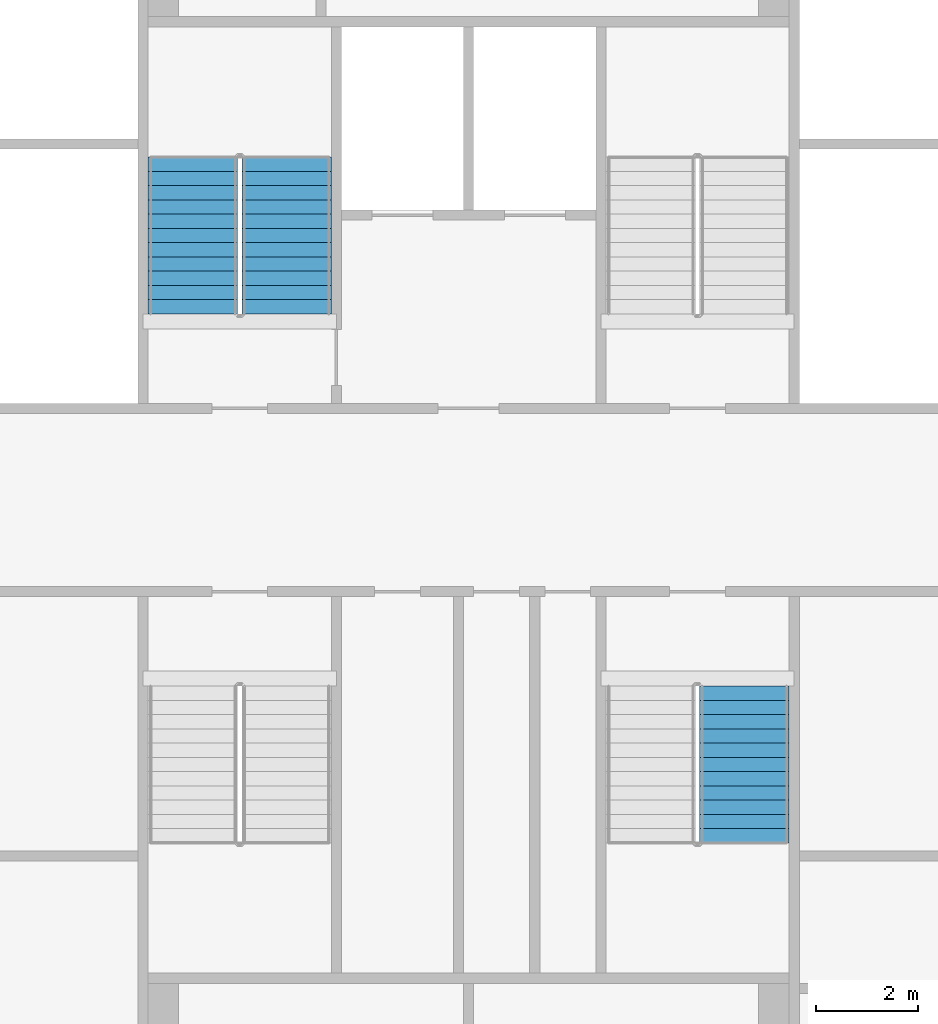
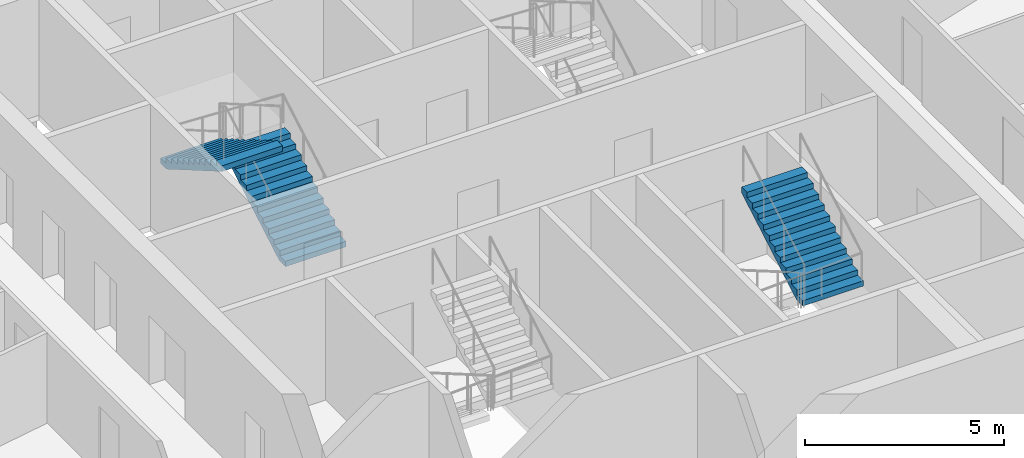
# One storey, part 9 of 15: 3 stair flights, 2 elements without a shape of their own.
"""IFC4 building model written with IfcOpenShell, lengths in metres."""

from ifc_helpers import new_model, si_unit, direction, frame, origin, place, context, subcontext, project, spatial, faceted_brep, material, type_object, element, aggregate, save


model = new_model("IFC4")

# Units and contexts
model_context = context("Model", 3, precision=1e-05, world=origin(), true_north=direction((0.0, 1.0)))
body_context = subcontext(model_context, "Body", "Model", "MODEL_VIEW")
ifc_project = project(units=[si_unit("LENGTHUNIT", "METRE"), si_unit("AREAUNIT", "SQUARE_METRE"), si_unit("VOLUMEUNIT", "CUBIC_METRE"), si_unit("PLANEANGLEUNIT", "RADIAN"), si_unit("MASSUNIT", "GRAM", prefix="KILO")], contexts=[model_context])

# Site, building, storey
site_placement = place(None, origin())
site = spatial("IfcSite", under=ifc_project, at=site_placement, CompositionType="ELEMENT")
building_placement = place(site_placement, origin())
building = spatial("IfcBuilding", under=site, at=building_placement, Name="Tarsis Ring Headquarters", CompositionType="ELEMENT")
storey_placement = place(building_placement, frame((0.0, 0.0, 327.5)))
storey = spatial("IfcBuildingStorey", under=building, at=storey_placement, Name="L77", CompositionType="ELEMENT", Elevation=327.5)

# Stair, stair flights
ifc_material_1 = material(Name="Core stair 1760")
stair_type = type_object("IfcStairType", Name="Core stair 1760", PredefinedType="HALF_TURN_STAIR", material=ifc_material_1)
stair_1_placement = place(storey_placement, origin())
stair_1 = element("IfcStair", 1, at=stair_1_placement, inside=storey, type_object=stair_type, Name="L77 Firefighting stair", PredefinedType="HALF_TURN_STAIR")
ifc_material_2 = material(Name="Concrete C40/50", Category="concrete")
stair_flight_type = type_object("IfcStairFlightType", Name="Core stair flight 1760", PredefinedType="STRAIGHT", material=ifc_material_2)
stair_flight_1_placement = place(storey_placement, frame((-3.580078125, 3.659912109375, 0.0), z_axis=(0.0, 0.0, 1.0), x_axis=(0.0, 1.0, 0.0)))
stair_flight_1 = element("IfcStairFlight", 2, at=stair_flight_1_placement, type_object=stair_flight_type, Name="Stair ST1 flight 1", NumberOfRisers=12, NumberOfTreads=11, PredefinedType="STRAIGHT", RiserHeight=0.1625, TreadLength=0.28, context=body_context, shape_type="Brep", body=[
    faceted_brep([(0.0, 0.8798828125, 0.0), (0.0, 0.8798828125, 0.16259765625), (0.280029296875, 0.8798828125, 0.16259765625), (0.280029296875, 0.8798828125, 0.324951171875), (0.56005859375, 0.8798828125, 0.324951171875), (0.56005859375, 0.8798828125, 0.487548828125), (0.840087890625, 0.8798828125, 0.487548828125), (0.840087890625, 0.8798828125, 0.64990234375), (1.1201171875, 0.8798828125, 0.64990234375), (1.1201171875, 0.8798828125, 0.8125), (1.39990234375, 0.8798828125, 0.8125), (1.39990234375, 0.8798828125, 0.97509765625), (1.679931640625, 0.8798828125, 0.97509765625), (1.679931640625, 0.8798828125, 1.137451171875), (1.9599609375, 0.8798828125, 1.137451171875), (1.9599609375, 0.8798828125, 1.300048828125), (2.239990234375, 0.8798828125, 1.300048828125), (2.239990234375, 0.8798828125, 1.46240234375), (2.52001953125, 0.8798828125, 1.46240234375), (2.52001953125, 0.8798828125, 1.625), (2.800048828125, 0.8798828125, 1.625), (2.800048828125, 0.8798828125, 1.78759765625), (3.080078125, 0.8798828125, 1.78759765625), (3.080078125, 0.8798828125, 1.6142578125), (0.298583984375, 0.8798828125, 0.0), (0.298583984375, -0.8798828125, 0.0), (3.080078125, -0.8798828125, 1.6142578125), (3.080078125, -0.8798828125, 1.78759765625), (2.800048828125, -0.8798828125, 1.78759765625), (2.800048828125, -0.8798828125, 1.625), (2.52001953125, -0.8798828125, 1.625), (2.52001953125, -0.8798828125, 1.46240234375), (2.239990234375, -0.8798828125, 1.46240234375), (2.239990234375, -0.8798828125, 1.300048828125), (1.9599609375, -0.8798828125, 1.300048828125), (1.9599609375, -0.8798828125, 1.137451171875), (1.679931640625, -0.8798828125, 1.137451171875), (1.679931640625, -0.8798828125, 0.97509765625), (1.39990234375, -0.8798828125, 0.97509765625), (1.39990234375, -0.8798828125, 0.8125), (1.1201171875, -0.8798828125, 0.8125), (1.1201171875, -0.8798828125, 0.64990234375), (0.840087890625, -0.8798828125, 0.64990234375), (0.840087890625, -0.8798828125, 0.487548828125), (0.56005859375, -0.8798828125, 0.487548828125), (0.56005859375, -0.8798828125, 0.324951171875), (0.280029296875, -0.8798828125, 0.324951171875), (0.280029296875, -0.8798828125, 0.16259765625), (0.0, -0.8798828125, 0.16259765625), (0.0, -0.8798828125, 0.0), (0.0, -0.43994140625, 0.16259765625), (0.0, -0.43994140625, 0.0), (0.0, 0.0, 0.16259765625), (0.0, 0.0, 0.0), (0.0, 0.43994140625, 0.16259765625), (0.0, 0.43994140625, 0.0), (0.280029296875, -0.43994140625, 0.16259765625), (0.280029296875, 0.0, 0.16259765625), (0.280029296875, 0.43994140625, 0.16259765625), (0.280029296875, -0.43994140625, 0.324951171875), (0.280029296875, 0.0, 0.324951171875), (0.280029296875, 0.43994140625, 0.324951171875), (0.56005859375, -0.43994140625, 0.324951171875), (0.56005859375, 0.0, 0.324951171875), (0.56005859375, 0.43994140625, 0.324951171875), (0.56005859375, -0.43994140625, 0.487548828125), (0.56005859375, 0.0, 0.487548828125), (0.56005859375, 0.43994140625, 0.487548828125), (0.840087890625, -0.43994140625, 0.487548828125), (0.840087890625, 0.0, 0.487548828125), (0.840087890625, 0.43994140625, 0.487548828125), (0.840087890625, -0.43994140625, 0.64990234375), (0.840087890625, 0.0, 0.64990234375), (0.840087890625, 0.43994140625, 0.64990234375), (1.1201171875, -0.43994140625, 0.64990234375), (1.1201171875, 0.0, 0.64990234375), (1.1201171875, 0.43994140625, 0.64990234375), (1.1201171875, -0.43994140625, 0.8125), (1.1201171875, 0.0, 0.8125), (1.1201171875, 0.43994140625, 0.8125), (1.39990234375, -0.43994140625, 0.8125), (1.39990234375, 0.0, 0.8125), (1.39990234375, 0.43994140625, 0.8125), (1.39990234375, -0.43994140625, 0.97509765625), (1.39990234375, 0.0, 0.97509765625), (1.39990234375, 0.43994140625, 0.97509765625), (1.679931640625, -0.43994140625, 0.97509765625), (1.679931640625, 0.0, 0.97509765625), (1.679931640625, 0.43994140625, 0.97509765625), (1.679931640625, -0.43994140625, 1.137451171875), (1.679931640625, 0.0, 1.137451171875), (1.679931640625, 0.43994140625, 1.137451171875), (1.9599609375, -0.43994140625, 1.137451171875), (1.9599609375, 0.0, 1.137451171875), (1.9599609375, 0.43994140625, 1.137451171875), (1.9599609375, -0.43994140625, 1.300048828125), (1.9599609375, 0.0, 1.300048828125), (1.9599609375, 0.43994140625, 1.300048828125), (2.239990234375, -0.43994140625, 1.300048828125), (2.239990234375, 0.0, 1.300048828125), (2.239990234375, 0.43994140625, 1.300048828125), (2.239990234375, -0.43994140625, 1.46240234375), (2.239990234375, 0.0, 1.46240234375), (2.239990234375, 0.43994140625, 1.46240234375), (2.52001953125, -0.43994140625, 1.46240234375), (2.52001953125, 0.0, 1.46240234375), (2.52001953125, 0.43994140625, 1.46240234375), (2.52001953125, -0.43994140625, 1.625), (2.52001953125, 0.0, 1.625), (2.52001953125, 0.43994140625, 1.625), (2.800048828125, -0.43994140625, 1.625), (2.800048828125, 0.0, 1.625), (2.800048828125, 0.43994140625, 1.625), (2.800048828125, -0.43994140625, 1.78759765625), (2.800048828125, 0.0, 1.78759765625), (2.800048828125, 0.43994140625, 1.78759765625), (3.080078125, -0.43994140625, 1.78759765625), (3.080078125, 0.0, 1.78759765625), (3.080078125, 0.43994140625, 1.78759765625), (3.080078125, -0.43994140625, 1.6142578125), (3.080078125, 0.0, 1.6142578125), (3.080078125, 0.43994140625, 1.6142578125), (0.298583984375, -0.43994140625, 0.0), (0.298583984375, 0.0, 0.0), (0.298583984375, 0.43994140625, 0.0)], [[[0, 1, 2, 3, 4, 5, 6, 7, 8, 9, 10, 11, 12, 13, 14, 15, 16, 17, 18, 19, 20, 21, 22, 23, 24]], [[25, 26, 27, 28, 29, 30, 31, 32, 33, 34, 35, 36, 37, 38, 39, 40, 41, 42, 43, 44, 45, 46, 47, 48, 49]], [[49, 48, 50, 51]], [[51, 50, 52, 53]], [[53, 52, 54, 55]], [[55, 54, 1, 0]], [[48, 47, 56, 50]], [[50, 56, 57, 52]], [[52, 57, 58, 54]], [[54, 58, 2, 1]], [[47, 46, 59, 56]], [[56, 59, 60, 57]], [[57, 60, 61, 58]], [[58, 61, 3, 2]], [[46, 45, 62, 59]], [[59, 62, 63, 60]], [[60, 63, 64, 61]], [[61, 64, 4, 3]], [[45, 44, 65, 62]], [[62, 65, 66, 63]], [[63, 66, 67, 64]], [[64, 67, 5, 4]], [[44, 43, 68, 65]], [[65, 68, 69, 66]], [[66, 69, 70, 67]], [[67, 70, 6, 5]], [[43, 42, 71, 68]], [[68, 71, 72, 69]], [[69, 72, 73, 70]], [[70, 73, 7, 6]], [[42, 41, 74, 71]], [[71, 74, 75, 72]], [[72, 75, 76, 73]], [[73, 76, 8, 7]], [[41, 40, 77, 74]], [[74, 77, 78, 75]], [[75, 78, 79, 76]], [[76, 79, 9, 8]], [[40, 39, 80, 77]], [[77, 80, 81, 78]], [[78, 81, 82, 79]], [[79, 82, 10, 9]], [[39, 38, 83, 80]], [[80, 83, 84, 81]], [[81, 84, 85, 82]], [[82, 85, 11, 10]], [[38, 37, 86, 83]], [[83, 86, 87, 84]], [[84, 87, 88, 85]], [[85, 88, 12, 11]], [[37, 36, 89, 86]], [[86, 89, 90, 87]], [[87, 90, 91, 88]], [[88, 91, 13, 12]], [[36, 35, 92, 89]], [[89, 92, 93, 90]], [[90, 93, 94, 91]], [[91, 94, 14, 13]], [[35, 34, 95, 92]], [[92, 95, 96, 93]], [[93, 96, 97, 94]], [[94, 97, 15, 14]], [[34, 33, 98, 95]], [[95, 98, 99, 96]], [[96, 99, 100, 97]], [[97, 100, 16, 15]], [[33, 32, 101, 98]], [[98, 101, 102, 99]], [[99, 102, 103, 100]], [[100, 103, 17, 16]], [[32, 31, 104, 101]], [[101, 104, 105, 102]], [[102, 105, 106, 103]], [[103, 106, 18, 17]], [[31, 30, 107, 104]], [[104, 107, 108, 105]], [[105, 108, 109, 106]], [[106, 109, 19, 18]], [[30, 29, 110, 107]], [[107, 110, 111, 108]], [[108, 111, 112, 109]], [[109, 112, 20, 19]], [[29, 28, 113, 110]], [[110, 113, 114, 111]], [[111, 114, 115, 112]], [[112, 115, 21, 20]], [[28, 27, 116, 113]], [[113, 116, 117, 114]], [[114, 117, 118, 115]], [[115, 118, 22, 21]], [[27, 26, 119, 116]], [[116, 119, 120, 117]], [[117, 120, 121, 118]], [[118, 121, 23, 22]], [[26, 25, 122, 119]], [[119, 122, 123, 120]], [[120, 123, 124, 121]], [[121, 124, 24, 23]], [[25, 49, 51, 122]], [[122, 51, 53, 123]], [[123, 53, 55, 124]], [[124, 55, 0, 24]]]),
])
stair_flight_2_placement = place(storey_placement, frame((-5.419921875, 6.739990234375, 1.949951171875), z_axis=(0.0, 0.0, 1.0), x_axis=(0.0, -1.0, 0.0)))
stair_flight_2 = element("IfcStairFlight", 3, at=stair_flight_2_placement, type_object=stair_flight_type, Name="Stair ST1 flight 2", NumberOfRisers=12, NumberOfTreads=11, PredefinedType="STRAIGHT", RiserHeight=0.1625, TreadLength=0.28, context=body_context, shape_type="Brep", body=[
    faceted_brep([(0.0, 0.8798828125, 0.0), (0.0, 0.8798828125, 0.16259765625), (0.280029296875, 0.8798828125, 0.16259765625), (0.280029296875, 0.8798828125, 0.324951171875), (0.56005859375, 0.8798828125, 0.324951171875), (0.56005859375, 0.8798828125, 0.487548828125), (0.840087890625, 0.8798828125, 0.487548828125), (0.840087890625, 0.8798828125, 0.64990234375), (1.1201171875, 0.8798828125, 0.64990234375), (1.1201171875, 0.8798828125, 0.8125), (1.39990234375, 0.8798828125, 0.8125), (1.39990234375, 0.8798828125, 0.97509765625), (1.679931640625, 0.8798828125, 0.97509765625), (1.679931640625, 0.8798828125, 1.137451171875), (1.9599609375, 0.8798828125, 1.137451171875), (1.9599609375, 0.8798828125, 1.300048828125), (2.239990234375, 0.8798828125, 1.300048828125), (2.239990234375, 0.8798828125, 1.46240234375), (2.52001953125, 0.8798828125, 1.46240234375), (2.52001953125, 0.8798828125, 1.625), (2.800048828125, 0.8798828125, 1.625), (2.800048828125, 0.8798828125, 1.78759765625), (3.080078125, 0.8798828125, 1.78759765625), (3.080078125, 0.8798828125, 1.6142578125), (0.298583984375, 0.8798828125, 0.0), (0.298583984375, -0.8798828125, 0.0), (3.080078125, -0.8798828125, 1.6142578125), (3.080078125, -0.8798828125, 1.78759765625), (2.800048828125, -0.8798828125, 1.78759765625), (2.800048828125, -0.8798828125, 1.625), (2.52001953125, -0.8798828125, 1.625), (2.52001953125, -0.8798828125, 1.46240234375), (2.239990234375, -0.8798828125, 1.46240234375), (2.239990234375, -0.8798828125, 1.300048828125), (1.9599609375, -0.8798828125, 1.300048828125), (1.9599609375, -0.8798828125, 1.137451171875), (1.679931640625, -0.8798828125, 1.137451171875), (1.679931640625, -0.8798828125, 0.97509765625), (1.39990234375, -0.8798828125, 0.97509765625), (1.39990234375, -0.8798828125, 0.8125), (1.1201171875, -0.8798828125, 0.8125), (1.1201171875, -0.8798828125, 0.64990234375), (0.840087890625, -0.8798828125, 0.64990234375), (0.840087890625, -0.8798828125, 0.487548828125), (0.56005859375, -0.8798828125, 0.487548828125), (0.56005859375, -0.8798828125, 0.324951171875), (0.280029296875, -0.8798828125, 0.324951171875), (0.280029296875, -0.8798828125, 0.16259765625), (0.0, -0.8798828125, 0.16259765625), (0.0, -0.8798828125, 0.0), (0.0, -0.43994140625, 0.16259765625), (0.0, -0.43994140625, 0.0), (0.0, 0.0, 0.16259765625), (0.0, 0.0, 0.0), (0.0, 0.43994140625, 0.16259765625), (0.0, 0.43994140625, 0.0), (0.280029296875, -0.43994140625, 0.16259765625), (0.280029296875, 0.0, 0.16259765625), (0.280029296875, 0.43994140625, 0.16259765625), (0.280029296875, -0.43994140625, 0.324951171875), (0.280029296875, 0.0, 0.324951171875), (0.280029296875, 0.43994140625, 0.324951171875), (0.56005859375, -0.43994140625, 0.324951171875), (0.56005859375, 0.0, 0.324951171875), (0.56005859375, 0.43994140625, 0.324951171875), (0.56005859375, -0.43994140625, 0.487548828125), (0.56005859375, 0.0, 0.487548828125), (0.56005859375, 0.43994140625, 0.487548828125), (0.840087890625, -0.43994140625, 0.487548828125), (0.840087890625, 0.0, 0.487548828125), (0.840087890625, 0.43994140625, 0.487548828125), (0.840087890625, -0.43994140625, 0.64990234375), (0.840087890625, 0.0, 0.64990234375), (0.840087890625, 0.43994140625, 0.64990234375), (1.1201171875, -0.43994140625, 0.64990234375), (1.1201171875, 0.0, 0.64990234375), (1.1201171875, 0.43994140625, 0.64990234375), (1.1201171875, -0.43994140625, 0.8125), (1.1201171875, 0.0, 0.8125), (1.1201171875, 0.43994140625, 0.8125), (1.39990234375, -0.43994140625, 0.8125), (1.39990234375, 0.0, 0.8125), (1.39990234375, 0.43994140625, 0.8125), (1.39990234375, -0.43994140625, 0.97509765625), (1.39990234375, 0.0, 0.97509765625), (1.39990234375, 0.43994140625, 0.97509765625), (1.679931640625, -0.43994140625, 0.97509765625), (1.679931640625, 0.0, 0.97509765625), (1.679931640625, 0.43994140625, 0.97509765625), (1.679931640625, -0.43994140625, 1.137451171875), (1.679931640625, 0.0, 1.137451171875), (1.679931640625, 0.43994140625, 1.137451171875), (1.9599609375, -0.43994140625, 1.137451171875), (1.9599609375, 0.0, 1.137451171875), (1.9599609375, 0.43994140625, 1.137451171875), (1.9599609375, -0.43994140625, 1.300048828125), (1.9599609375, 0.0, 1.300048828125), (1.9599609375, 0.43994140625, 1.300048828125), (2.239990234375, -0.43994140625, 1.300048828125), (2.239990234375, 0.0, 1.300048828125), (2.239990234375, 0.43994140625, 1.300048828125), (2.239990234375, -0.43994140625, 1.46240234375), (2.239990234375, 0.0, 1.46240234375), (2.239990234375, 0.43994140625, 1.46240234375), (2.52001953125, -0.43994140625, 1.46240234375), (2.52001953125, 0.0, 1.46240234375), (2.52001953125, 0.43994140625, 1.46240234375), (2.52001953125, -0.43994140625, 1.625), (2.52001953125, 0.0, 1.625), (2.52001953125, 0.43994140625, 1.625), (2.800048828125, -0.43994140625, 1.625), (2.800048828125, 0.0, 1.625), (2.800048828125, 0.43994140625, 1.625), (2.800048828125, -0.43994140625, 1.78759765625), (2.800048828125, 0.0, 1.78759765625), (2.800048828125, 0.43994140625, 1.78759765625), (3.080078125, -0.43994140625, 1.78759765625), (3.080078125, 0.0, 1.78759765625), (3.080078125, 0.43994140625, 1.78759765625), (3.080078125, -0.43994140625, 1.6142578125), (3.080078125, 0.0, 1.6142578125), (3.080078125, 0.43994140625, 1.6142578125), (0.298583984375, -0.43994140625, 0.0), (0.298583984375, 0.0, 0.0), (0.298583984375, 0.43994140625, 0.0)], [[[0, 1, 2, 3, 4, 5, 6, 7, 8, 9, 10, 11, 12, 13, 14, 15, 16, 17, 18, 19, 20, 21, 22, 23, 24]], [[25, 26, 27, 28, 29, 30, 31, 32, 33, 34, 35, 36, 37, 38, 39, 40, 41, 42, 43, 44, 45, 46, 47, 48, 49]], [[49, 48, 50, 51]], [[51, 50, 52, 53]], [[53, 52, 54, 55]], [[55, 54, 1, 0]], [[48, 47, 56, 50]], [[50, 56, 57, 52]], [[52, 57, 58, 54]], [[54, 58, 2, 1]], [[47, 46, 59, 56]], [[56, 59, 60, 57]], [[57, 60, 61, 58]], [[58, 61, 3, 2]], [[46, 45, 62, 59]], [[59, 62, 63, 60]], [[60, 63, 64, 61]], [[61, 64, 4, 3]], [[45, 44, 65, 62]], [[62, 65, 66, 63]], [[63, 66, 67, 64]], [[64, 67, 5, 4]], [[44, 43, 68, 65]], [[65, 68, 69, 66]], [[66, 69, 70, 67]], [[67, 70, 6, 5]], [[43, 42, 71, 68]], [[68, 71, 72, 69]], [[69, 72, 73, 70]], [[70, 73, 7, 6]], [[42, 41, 74, 71]], [[71, 74, 75, 72]], [[72, 75, 76, 73]], [[73, 76, 8, 7]], [[41, 40, 77, 74]], [[74, 77, 78, 75]], [[75, 78, 79, 76]], [[76, 79, 9, 8]], [[40, 39, 80, 77]], [[77, 80, 81, 78]], [[78, 81, 82, 79]], [[79, 82, 10, 9]], [[39, 38, 83, 80]], [[80, 83, 84, 81]], [[81, 84, 85, 82]], [[82, 85, 11, 10]], [[38, 37, 86, 83]], [[83, 86, 87, 84]], [[84, 87, 88, 85]], [[85, 88, 12, 11]], [[37, 36, 89, 86]], [[86, 89, 90, 87]], [[87, 90, 91, 88]], [[88, 91, 13, 12]], [[36, 35, 92, 89]], [[89, 92, 93, 90]], [[90, 93, 94, 91]], [[91, 94, 14, 13]], [[35, 34, 95, 92]], [[92, 95, 96, 93]], [[93, 96, 97, 94]], [[94, 97, 15, 14]], [[34, 33, 98, 95]], [[95, 98, 99, 96]], [[96, 99, 100, 97]], [[97, 100, 16, 15]], [[33, 32, 101, 98]], [[98, 101, 102, 99]], [[99, 102, 103, 100]], [[100, 103, 17, 16]], [[32, 31, 104, 101]], [[101, 104, 105, 102]], [[102, 105, 106, 103]], [[103, 106, 18, 17]], [[31, 30, 107, 104]], [[104, 107, 108, 105]], [[105, 108, 109, 106]], [[106, 109, 19, 18]], [[30, 29, 110, 107]], [[107, 110, 111, 108]], [[108, 111, 112, 109]], [[109, 112, 20, 19]], [[29, 28, 113, 110]], [[110, 113, 114, 111]], [[111, 114, 115, 112]], [[112, 115, 21, 20]], [[28, 27, 116, 113]], [[113, 116, 117, 114]], [[114, 117, 118, 115]], [[115, 118, 22, 21]], [[27, 26, 119, 116]], [[116, 119, 120, 117]], [[117, 120, 121, 118]], [[118, 121, 23, 22]], [[26, 25, 122, 119]], [[119, 122, 123, 120]], [[120, 123, 124, 121]], [[121, 124, 24, 23]], [[25, 49, 51, 122]], [[122, 51, 53, 123]], [[123, 53, 55, 124]], [[124, 55, 0, 24]]]),
])
aggregate(stair_1, [stair_flight_1, stair_flight_2])

# Stair, stair flight
stair_2_placement = place(storey_placement, origin())
stair_2 = element("IfcStair", 4, at=stair_2_placement, inside=storey, type_object=stair_type, Name="L77 Exit stair D", PredefinedType="HALF_TURN_STAIR")
stair_flight_3_placement = place(storey_placement, frame((5.419921875, -6.739990234375, 1.949951171875), z_axis=(0.0, 0.0, 1.0), x_axis=(0.0, 1.0, 0.0)))
stair_flight_3 = element("IfcStairFlight", 5, at=stair_flight_3_placement, type_object=stair_flight_type, Name="Stair ST4 flight 2", NumberOfRisers=12, NumberOfTreads=11, PredefinedType="STRAIGHT", RiserHeight=0.1625, TreadLength=0.28, context=body_context, shape_type="Brep", body=[
    faceted_brep([(0.0, 0.8798828125, 0.0), (0.0, 0.8798828125, 0.16259765625), (0.280029296875, 0.8798828125, 0.16259765625), (0.280029296875, 0.8798828125, 0.324951171875), (0.56005859375, 0.8798828125, 0.324951171875), (0.56005859375, 0.8798828125, 0.487548828125), (0.840087890625, 0.8798828125, 0.487548828125), (0.840087890625, 0.8798828125, 0.64990234375), (1.1201171875, 0.8798828125, 0.64990234375), (1.1201171875, 0.8798828125, 0.8125), (1.39990234375, 0.8798828125, 0.8125), (1.39990234375, 0.8798828125, 0.97509765625), (1.679931640625, 0.8798828125, 0.97509765625), (1.679931640625, 0.8798828125, 1.137451171875), (1.9599609375, 0.8798828125, 1.137451171875), (1.9599609375, 0.8798828125, 1.300048828125), (2.239990234375, 0.8798828125, 1.300048828125), (2.239990234375, 0.8798828125, 1.46240234375), (2.52001953125, 0.8798828125, 1.46240234375), (2.52001953125, 0.8798828125, 1.625), (2.800048828125, 0.8798828125, 1.625), (2.800048828125, 0.8798828125, 1.78759765625), (3.080078125, 0.8798828125, 1.78759765625), (3.080078125, 0.8798828125, 1.6142578125), (0.298583984375, 0.8798828125, 0.0), (0.298583984375, -0.8798828125, 0.0), (3.080078125, -0.8798828125, 1.6142578125), (3.080078125, -0.8798828125, 1.78759765625), (2.800048828125, -0.8798828125, 1.78759765625), (2.800048828125, -0.8798828125, 1.625), (2.52001953125, -0.8798828125, 1.625), (2.52001953125, -0.8798828125, 1.46240234375), (2.239990234375, -0.8798828125, 1.46240234375), (2.239990234375, -0.8798828125, 1.300048828125), (1.9599609375, -0.8798828125, 1.300048828125), (1.9599609375, -0.8798828125, 1.137451171875), (1.679931640625, -0.8798828125, 1.137451171875), (1.679931640625, -0.8798828125, 0.97509765625), (1.39990234375, -0.8798828125, 0.97509765625), (1.39990234375, -0.8798828125, 0.8125), (1.1201171875, -0.8798828125, 0.8125), (1.1201171875, -0.8798828125, 0.64990234375), (0.840087890625, -0.8798828125, 0.64990234375), (0.840087890625, -0.8798828125, 0.487548828125), (0.56005859375, -0.8798828125, 0.487548828125), (0.56005859375, -0.8798828125, 0.324951171875), (0.280029296875, -0.8798828125, 0.324951171875), (0.280029296875, -0.8798828125, 0.16259765625), (0.0, -0.8798828125, 0.16259765625), (0.0, -0.8798828125, 0.0), (0.0, -0.43994140625, 0.16259765625), (0.0, -0.43994140625, 0.0), (0.0, 0.0, 0.16259765625), (0.0, 0.0, 0.0), (0.0, 0.43994140625, 0.16259765625), (0.0, 0.43994140625, 0.0), (0.280029296875, -0.43994140625, 0.16259765625), (0.280029296875, 0.0, 0.16259765625), (0.280029296875, 0.43994140625, 0.16259765625), (0.280029296875, -0.43994140625, 0.324951171875), (0.280029296875, 0.0, 0.324951171875), (0.280029296875, 0.43994140625, 0.324951171875), (0.56005859375, -0.43994140625, 0.324951171875), (0.56005859375, 0.0, 0.324951171875), (0.56005859375, 0.43994140625, 0.324951171875), (0.56005859375, -0.43994140625, 0.487548828125), (0.56005859375, 0.0, 0.487548828125), (0.56005859375, 0.43994140625, 0.487548828125), (0.840087890625, -0.43994140625, 0.487548828125), (0.840087890625, 0.0, 0.487548828125), (0.840087890625, 0.43994140625, 0.487548828125), (0.840087890625, -0.43994140625, 0.64990234375), (0.840087890625, 0.0, 0.64990234375), (0.840087890625, 0.43994140625, 0.64990234375), (1.1201171875, -0.43994140625, 0.64990234375), (1.1201171875, 0.0, 0.64990234375), (1.1201171875, 0.43994140625, 0.64990234375), (1.1201171875, -0.43994140625, 0.8125), (1.1201171875, 0.0, 0.8125), (1.1201171875, 0.43994140625, 0.8125), (1.39990234375, -0.43994140625, 0.8125), (1.39990234375, 0.0, 0.8125), (1.39990234375, 0.43994140625, 0.8125), (1.39990234375, -0.43994140625, 0.97509765625), (1.39990234375, 0.0, 0.97509765625), (1.39990234375, 0.43994140625, 0.97509765625), (1.679931640625, -0.43994140625, 0.97509765625), (1.679931640625, 0.0, 0.97509765625), (1.679931640625, 0.43994140625, 0.97509765625), (1.679931640625, -0.43994140625, 1.137451171875), (1.679931640625, 0.0, 1.137451171875), (1.679931640625, 0.43994140625, 1.137451171875), (1.9599609375, -0.43994140625, 1.137451171875), (1.9599609375, 0.0, 1.137451171875), (1.9599609375, 0.43994140625, 1.137451171875), (1.9599609375, -0.43994140625, 1.300048828125), (1.9599609375, 0.0, 1.300048828125), (1.9599609375, 0.43994140625, 1.300048828125), (2.239990234375, -0.43994140625, 1.300048828125), (2.239990234375, 0.0, 1.300048828125), (2.239990234375, 0.43994140625, 1.300048828125), (2.239990234375, -0.43994140625, 1.46240234375), (2.239990234375, 0.0, 1.46240234375), (2.239990234375, 0.43994140625, 1.46240234375), (2.52001953125, -0.43994140625, 1.46240234375), (2.52001953125, 0.0, 1.46240234375), (2.52001953125, 0.43994140625, 1.46240234375), (2.52001953125, -0.43994140625, 1.625), (2.52001953125, 0.0, 1.625), (2.52001953125, 0.43994140625, 1.625), (2.800048828125, -0.43994140625, 1.625), (2.800048828125, 0.0, 1.625), (2.800048828125, 0.43994140625, 1.625), (2.800048828125, -0.43994140625, 1.78759765625), (2.800048828125, 0.0, 1.78759765625), (2.800048828125, 0.43994140625, 1.78759765625), (3.080078125, -0.43994140625, 1.78759765625), (3.080078125, 0.0, 1.78759765625), (3.080078125, 0.43994140625, 1.78759765625), (3.080078125, -0.43994140625, 1.6142578125), (3.080078125, 0.0, 1.6142578125), (3.080078125, 0.43994140625, 1.6142578125), (0.298583984375, -0.43994140625, 0.0), (0.298583984375, 0.0, 0.0), (0.298583984375, 0.43994140625, 0.0)], [[[0, 1, 2, 3, 4, 5, 6, 7, 8, 9, 10, 11, 12, 13, 14, 15, 16, 17, 18, 19, 20, 21, 22, 23, 24]], [[25, 26, 27, 28, 29, 30, 31, 32, 33, 34, 35, 36, 37, 38, 39, 40, 41, 42, 43, 44, 45, 46, 47, 48, 49]], [[49, 48, 50, 51]], [[51, 50, 52, 53]], [[53, 52, 54, 55]], [[55, 54, 1, 0]], [[48, 47, 56, 50]], [[50, 56, 57, 52]], [[52, 57, 58, 54]], [[54, 58, 2, 1]], [[47, 46, 59, 56]], [[56, 59, 60, 57]], [[57, 60, 61, 58]], [[58, 61, 3, 2]], [[46, 45, 62, 59]], [[59, 62, 63, 60]], [[60, 63, 64, 61]], [[61, 64, 4, 3]], [[45, 44, 65, 62]], [[62, 65, 66, 63]], [[63, 66, 67, 64]], [[64, 67, 5, 4]], [[44, 43, 68, 65]], [[65, 68, 69, 66]], [[66, 69, 70, 67]], [[67, 70, 6, 5]], [[43, 42, 71, 68]], [[68, 71, 72, 69]], [[69, 72, 73, 70]], [[70, 73, 7, 6]], [[42, 41, 74, 71]], [[71, 74, 75, 72]], [[72, 75, 76, 73]], [[73, 76, 8, 7]], [[41, 40, 77, 74]], [[74, 77, 78, 75]], [[75, 78, 79, 76]], [[76, 79, 9, 8]], [[40, 39, 80, 77]], [[77, 80, 81, 78]], [[78, 81, 82, 79]], [[79, 82, 10, 9]], [[39, 38, 83, 80]], [[80, 83, 84, 81]], [[81, 84, 85, 82]], [[82, 85, 11, 10]], [[38, 37, 86, 83]], [[83, 86, 87, 84]], [[84, 87, 88, 85]], [[85, 88, 12, 11]], [[37, 36, 89, 86]], [[86, 89, 90, 87]], [[87, 90, 91, 88]], [[88, 91, 13, 12]], [[36, 35, 92, 89]], [[89, 92, 93, 90]], [[90, 93, 94, 91]], [[91, 94, 14, 13]], [[35, 34, 95, 92]], [[92, 95, 96, 93]], [[93, 96, 97, 94]], [[94, 97, 15, 14]], [[34, 33, 98, 95]], [[95, 98, 99, 96]], [[96, 99, 100, 97]], [[97, 100, 16, 15]], [[33, 32, 101, 98]], [[98, 101, 102, 99]], [[99, 102, 103, 100]], [[100, 103, 17, 16]], [[32, 31, 104, 101]], [[101, 104, 105, 102]], [[102, 105, 106, 103]], [[103, 106, 18, 17]], [[31, 30, 107, 104]], [[104, 107, 108, 105]], [[105, 108, 109, 106]], [[106, 109, 19, 18]], [[30, 29, 110, 107]], [[107, 110, 111, 108]], [[108, 111, 112, 109]], [[109, 112, 20, 19]], [[29, 28, 113, 110]], [[110, 113, 114, 111]], [[111, 114, 115, 112]], [[112, 115, 21, 20]], [[28, 27, 116, 113]], [[113, 116, 117, 114]], [[114, 117, 118, 115]], [[115, 118, 22, 21]], [[27, 26, 119, 116]], [[116, 119, 120, 117]], [[117, 120, 121, 118]], [[118, 121, 23, 22]], [[26, 25, 122, 119]], [[119, 122, 123, 120]], [[120, 123, 124, 121]], [[121, 124, 24, 23]], [[25, 49, 51, 122]], [[122, 51, 53, 123]], [[123, 53, 55, 124]], [[124, 55, 0, 24]]]),
])
aggregate(stair_2, [stair_flight_3])

save(model, "model.ifc")
